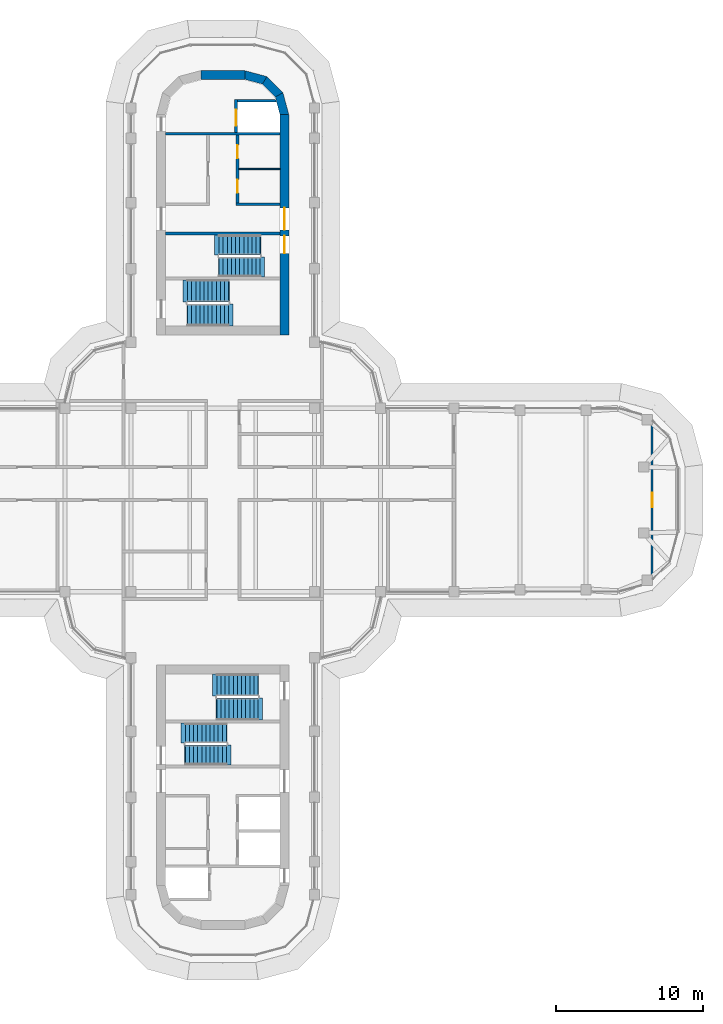
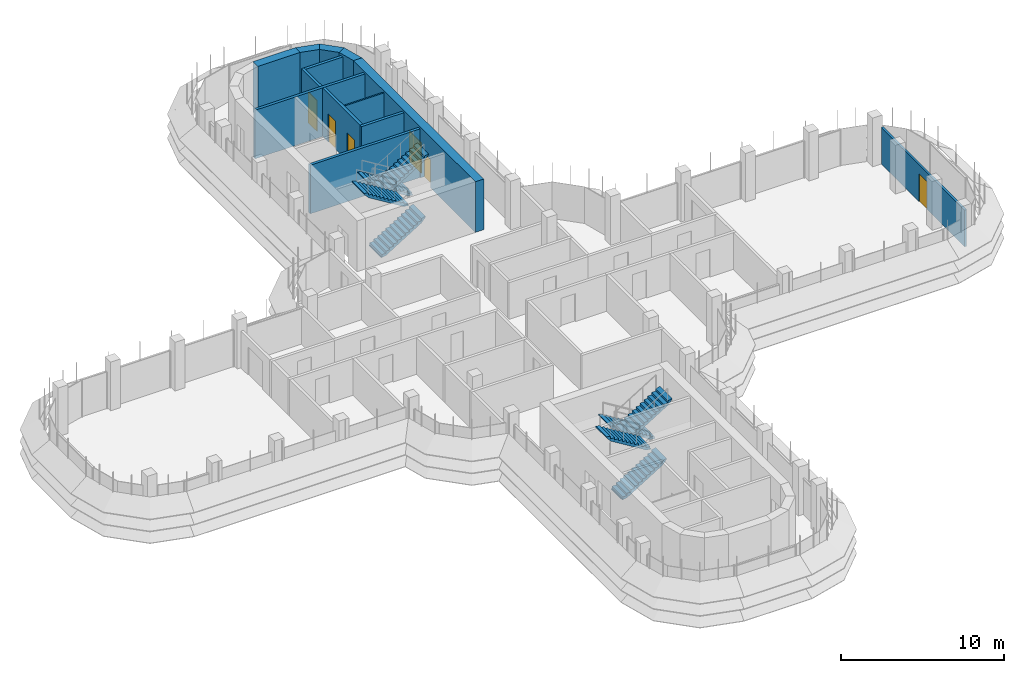
# One storey, part 15 of 18: 13 walls, 8 stair flights, 6 doors, 6 openings, 4 elements without a shape of their own.
"""IFC4 building model written with IfcOpenShell, lengths in metres."""

import ifcopenshell
import ifcopenshell.guid

model = None  # the IFC model being written
_history = None  # IfcOwnerHistory: only IFC2X3 demands one
_inside = {}  # id of a spatial element -> (the spatial element, [elements in it])
_under = {}  # id of a project, library or spatial element -> (it, [spatial elements below it])
_declared = {}  # id of a project -> (the project, [libraries it declares])
_typed = {}  # id of a type object -> (the type object, [elements of that type])
_made_of = {}  # id of a material, layer set ... -> (it, [elements and type objects made of it])


def new_model(schema):
    """Start an empty IFC model of exactly this schema.

    Asked for "IFC4X3", IfcOpenShell would pick the latest addendum, in which some entities
    have other attributes; the version numbers below select the first issue.
    IFC2X3 requires an IfcOwnerHistory on every rooted entity: one is made here for all.
    """
    global model, _history
    if schema == "IFC4X3":
        model = ifcopenshell.file(schema_version=(4, 3, 0, 0))
    else:
        model = ifcopenshell.file(schema=schema)
    _inside.clear()
    _under.clear()
    _declared.clear()
    _typed.clear()
    _made_of.clear()
    _history = None
    if model.schema == "IFC2X3":
        org = make("IfcOrganization", Name="unknown")
        user = make(
            "IfcPersonAndOrganization",
            ThePerson=make("IfcPerson", FamilyName="unknown"),
            TheOrganization=org,
        )
        app = make(
            "IfcApplication",
            ApplicationDeveloper=org,
            Version="unknown",
            ApplicationFullName="unknown",
            ApplicationIdentifier="unknown",
        )
        _history = make(
            "IfcOwnerHistory",
            OwningUser=user,
            OwningApplication=app,
            ChangeAction="ADDED",
            CreationDate=0,
        )
    return model


def make(cls, **values):
    """One entity of the class cls with the attributes given. An attribute that is None is left unset."""
    return model.create_entity(
        cls, **{name: value for name, value in values.items() if value is not None}
    )


def rooted(cls, **values):
    """An entity with a GlobalId (a new one), such as an element, a storey or a relation."""
    return make(cls, GlobalId=ifcopenshell.guid.new(), OwnerHistory=_history, **values)


def si_unit(unit_type, name, prefix=None):
    """IfcSIUnit, for example si_unit("LENGTHUNIT", "METRE", prefix="MILLI")."""
    return make("IfcSIUnit", UnitType=unit_type, Prefix=prefix, Name=name)


def assignment(units):
    """IfcUnitAssignment: the units of a project."""
    return None if units is None else make("IfcUnitAssignment", Units=units)


def point(xyz):
    """IfcCartesianPoint."""
    return None if xyz is None else make("IfcCartesianPoint", Coordinates=xyz)


def direction(xyz):
    """IfcDirection."""
    return None if xyz is None else make("IfcDirection", DirectionRatios=xyz)


def frame(location, z_axis=None, x_axis=None):
    """IfcAxis2Placement3D, a coordinate frame: its origin and axes. An axis left out is left unset."""
    return make(
        "IfcAxis2Placement3D",
        Location=point(location),
        Axis=direction(z_axis),
        RefDirection=direction(x_axis),
    )


def frame_2d(location, x_axis=None):
    """IfcAxis2Placement2D, a coordinate frame in the plane: its origin and x axis."""
    return make(
        "IfcAxis2Placement2D", Location=point(location), RefDirection=direction(x_axis)
    )


def origin():
    """The frame at (0, 0, 0) with its axes left unset."""
    return frame((0.0, 0.0, 0.0))


def place(relative_to, where):
    """IfcLocalPlacement: puts the frame where relative to a parent placement (None: the world)."""
    return make(
        "IfcLocalPlacement", PlacementRelTo=relative_to, RelativePlacement=where
    )


def context(
    kind, dimensions, precision=None, world=None, true_north=None, identifier=None
):
    """IfcGeometricRepresentationContext, for example the 3D "Model" context."""
    return make(
        "IfcGeometricRepresentationContext",
        ContextIdentifier=identifier,
        ContextType=kind,
        CoordinateSpaceDimension=dimensions,
        Precision=precision,
        WorldCoordinateSystem=world,
        TrueNorth=true_north,
    )


def subcontext(parent, identifier, kind, view, scale=None):
    """IfcGeometricRepresentationSubContext, for example "Body" below "Model"."""
    return make(
        "IfcGeometricRepresentationSubContext",
        ContextIdentifier=identifier,
        ContextType=kind,
        ParentContext=parent,
        TargetScale=scale,
        TargetView=view,
    )


def project(units=None, contexts=None):
    """IfcProject with its units and contexts."""
    return rooted(
        "IfcProject",
        Name="project",
        RepresentationContexts=contexts,
        UnitsInContext=assignment(units),
    )


def spatial(cls, under=None, at=None, **own):
    """A site, building, storey or space (cls), placed at a placement, below another one or the project."""
    s = rooted(cls, ObjectPlacement=at, **own)
    if under is not None:
        _under.setdefault(under.id(), (under, []))[1].append(s)
    return s


def polyline(points):
    """IfcPolyline through the points."""
    return make("IfcPolyline", Points=[point(p) for p in points])


def profile(cls, at=None, kind="AREA", **sizes):
    """A parametric profile (cls). Its sizes go by their IFC names, for example OverallWidth=200.0."""
    return make(cls, ProfileType=kind, Position=at, **sizes)


def rectangle(**sizes):
    """IfcRectangleProfileDef."""
    return profile("IfcRectangleProfileDef", **sizes)


def outline(outer, holes=None, kind="AREA"):
    """IfcArbitraryClosedProfileDef: a profile drawn as a closed curve; with holes, ...WithVoids."""
    if holes is None:
        return make("IfcArbitraryClosedProfileDef", ProfileType=kind, OuterCurve=outer)
    return make(
        "IfcArbitraryProfileDefWithVoids",
        ProfileType=kind,
        OuterCurve=outer,
        InnerCurves=holes,
    )


def extrude(swept, where, along, depth):
    """IfcExtrudedAreaSolid: the profile swept, set in the frame where, extruded along a direction by depth."""
    return make(
        "IfcExtrudedAreaSolid",
        SweptArea=swept,
        Position=where,
        ExtrudedDirection=direction(along),
        Depth=depth,
    )


def shape(context_of_items, identifier, shape_type, items):
    """IfcShapeRepresentation: the items that make up one representation, for example the "Body"."""
    return make(
        "IfcShapeRepresentation",
        ContextOfItems=context_of_items,
        RepresentationIdentifier=identifier,
        RepresentationType=shape_type,
        Items=items,
    )


def material(Name=None, Category=None):
    """IfcMaterial."""
    return make("IfcMaterial", Name=Name, Category=Category)


def layer(
    of_material, thickness, ventilated=None, Name=None, Category=None, Priority=None
):
    """IfcMaterialLayer: one layer of a wall or slab, of a material (None: an air gap)."""
    return make(
        "IfcMaterialLayer",
        Material=of_material,
        LayerThickness=thickness,
        IsVentilated=ventilated,
        Name=Name,
        Category=Category,
        Priority=Priority,
    )


def layer_set(layers, Name=None):
    """IfcMaterialLayerSet."""
    return make("IfcMaterialLayerSet", MaterialLayers=layers, LayerSetName=Name)


def made_of(thing, what):
    """Note that an element or type object is made of a material, layer set ...; save() writes the relation."""
    if what is not None:
        _made_of.setdefault(what.id(), (what, []))[1].append(thing)
    return thing


def type_object(cls, material=None, **own):
    """A type object (cls), such as IfcWallType, which elements share."""
    return made_of(rooted(cls, **own), material)


def element(
    cls,
    number,
    at=None,
    inside=None,
    cuts=None,
    type_object=None,
    material=None,
    context=None,
    identifier="Body",
    shape_type=None,
    held_by="IfcProductDefinitionShape",
    body=None,
    shapes=None,
    **own,
):
    """One element of the class cls, such as IfcWall. Its Tag is "e" and its number.

    at: its placement. inside: the storey or other place that contains it. cuts: it is an
    opening in that element (IfcRelVoidsElement). A single representation is given by context,
    identifier, shape_type and body (its items); several are given by shapes. held_by: the class
    of the entity that holds the representations. save() writes the other relations.
    """
    e = rooted(cls, Tag="e%d" % number, ObjectPlacement=at, **own)
    if body is not None:
        shapes = [shape(context, identifier, shape_type, body)]
    if shapes is not None:
        e.Representation = make(held_by, Representations=shapes)
    if inside is not None:
        _inside.setdefault(inside.id(), (inside, []))[1].append(e)
    if cuts is not None:
        rooted(
            "IfcRelVoidsElement", RelatingBuildingElement=cuts, RelatedOpeningElement=e
        )
    if type_object is not None:
        _typed.setdefault(type_object.id(), (type_object, []))[1].append(e)
    return made_of(e, material)


def fill(opening, filler):
    """IfcRelFillsElement: the door or window that sits in an opening."""
    return rooted(
        "IfcRelFillsElement",
        RelatingOpeningElement=opening,
        RelatedBuildingElement=filler,
    )


def aggregate(whole, parts):
    """IfcRelAggregates: a whole, such as a stair, and the parts it consists of."""
    return rooted("IfcRelAggregates", RelatingObject=whole, RelatedObjects=parts)


def save(model, path):
    """Write the relations noted so far, then the file.

    IfcRelAggregates (storeys below a building ...), IfcRelContainedInSpatialStructure (elements
    in a storey), IfcRelDefinesByType, IfcRelAssociatesMaterial and IfcRelDeclares: one each for
    every whole, place, type object, material and project.
    """
    for whole, parts in _under.values():
        aggregate(whole, parts)
    for where, things in _inside.values():
        rooted(
            "IfcRelContainedInSpatialStructure",
            RelatedElements=things,
            RelatingStructure=where,
        )
    for kind, things in _typed.values():
        rooted("IfcRelDefinesByType", RelatedObjects=things, RelatingType=kind)
    for what, things in _made_of.values():
        rooted("IfcRelAssociatesMaterial", RelatedObjects=things, RelatingMaterial=what)
    for by, libraries in _declared.values():
        rooted("IfcRelDeclares", RelatingContext=by, RelatedDefinitions=libraries)
    model.write(path)


model = new_model("IFC4")

# Units and contexts
model_context = context("Model", 3, precision=1e-05, world=origin(), true_north=direction((0.0, 1.0)))
body_context = subcontext(model_context, "Body", "Model", "MODEL_VIEW")
ifc_project = project(units=[si_unit("LENGTHUNIT", "METRE"), si_unit("AREAUNIT", "SQUARE_METRE"), si_unit("VOLUMEUNIT", "CUBIC_METRE"), si_unit("PLANEANGLEUNIT", "RADIAN"), si_unit("MASSUNIT", "GRAM", prefix="KILO")], contexts=[model_context])

# Site, building, storey
site_placement = place(None, origin())
site = spatial("IfcSite", under=ifc_project, at=site_placement, CompositionType="ELEMENT")
building_placement = place(site_placement, origin())
building = spatial("IfcBuilding", under=site, at=building_placement, Name="Zarbagh Exchange Tower", CompositionType="ELEMENT")
storey_placement = place(building_placement, frame((0.0, 0.0, 214.39990234375)))
storey = spatial("IfcBuildingStorey", under=building, at=storey_placement, Name="L52", CompositionType="ELEMENT", Elevation=214.39990234375)

# Wall
ifc_material_1 = material(Name="Dense blockwork", Category="masonry")
ifc_layer_1 = layer(ifc_material_1, 0.10009765625)
ifc_layer_set_1 = layer_set([ifc_layer_1], Name="Core partition 100 mm blockwork")
wall_type_1 = type_object("IfcWallType", Name="Core partition 100 mm blockwork", PredefinedType="PARTITIONING", material=ifc_layer_set_1)
wall_1_placement = place(storey_placement, frame((1.10009765625, 22.550048828125, 0.0), z_axis=(0.0, 0.0, 1.0), x_axis=(1.0, 0.0, 0.0)))
element("IfcWall", 1, at=wall_1_placement, inside=storey, type_object=wall_type_1, Name="North core partition wall CUT-E-580", PredefinedType="PARTITIONING", context=body_context, shape_type="SweptSolid", body=[
    extrude(rectangle(XDim=2.7998046875, YDim=0.10009765625, at=frame_2d((1.39990234375, 0.0))), origin(), (0.0, 0.0, 1.0), 3.650146484375),
])

# Wall, opening, door
ifc_material_2 = material(Name="Plasterboard partition")
ifc_layer_2 = layer(ifc_material_2, 0.14990234375)
ifc_layer_set_2 = layer_set([ifc_layer_2], Name="PARTITION 150")
wall_type_2 = type_object("IfcWallType", Name="PARTITION 150", PredefinedType="PARTITIONING", material=ifc_layer_set_2)
wall_2_placement = place(storey_placement, frame((29.25, 5.125, 0.0), z_axis=(0.0, 0.0, 1.0), x_axis=(0.0, -1.0, 0.0)))
wall_2 = element("IfcWall", 2, at=wall_2_placement, inside=storey, type_object=wall_type_2, Name="Partition W-2244", PredefinedType="PARTITIONING", context=body_context, shape_type="SweptSolid", body=[
    extrude(rectangle(XDim=10.25, YDim=0.14990234375, at=frame_2d((5.125, 0.0))), origin(), (0.0, 0.0, 1.0), 2.75),
])
opening_1_placement = place(wall_2_placement, frame((4.625, 0.0, 0.0)))
opening_1 = element("IfcOpeningElement", 3, at=opening_1_placement, cuts=wall_2, Name="Opening D-2201", PredefinedType="OPENING", context=body_context, shape_type="SweptSolid", body=[
    extrude(rectangle(XDim=1.0, YDim=2.10009765625, at=frame_2d((0.5, 1.050048828125))), frame((0.0, 0.0849609375, 0.0), z_axis=(0.0, -1.0, 0.0), x_axis=(1.0, 0.0, 0.0)), (0.0, 0.0, 1.0), 0.169921875),
])
ifc_material_3 = material(Name="Timber door leaf", Category="wood")
door_type_1 = type_object("IfcDoorType", Name="DOOR 1000 X 2100", OperationType="NOTDEFINED", PredefinedType="DOOR", material=ifc_material_3)
door_1_placement = place(opening_1_placement, origin())
door_1 = element("IfcDoor", 4, at=door_1_placement, inside=storey, type_object=door_type_1, Name="Door D-2201", OperationType="SINGLE_SWING_RIGHT", OverallHeight=2.10009765625, OverallWidth=1.0, PredefinedType="DOOR", context=body_context, shape_type="SweptSolid", body=[
    extrude(rectangle(XDim=1.0, YDim=2.10009765625, at=frame_2d((0.5, 1.050048828125))), frame((0.0, 0.02490234375, 0.0), z_axis=(0.0, -1.0, 0.0), x_axis=(1.0, 0.0, 0.0)), (0.0, 0.0, 1.0), 0.050048828125),
])
fill(opening_1, door_1)

# Walls
ifc_material_4 = material(Name="Concrete C50/60", Category="concrete")
ifc_layer_3 = layer(ifc_material_4, 0.60009765625)
ifc_layer_set_3 = layer_set([ifc_layer_3], Name="RC core corner wall 600 C50/60")
wall_type_3 = type_object("IfcWallType", Name="RC core corner wall 600 C50/60", PredefinedType="SHEAR", material=ifc_layer_set_3)
wall_3_placement = place(storey_placement, origin())
element("IfcWall", 5, at=wall_3_placement, inside=storey, type_object=wall_type_3, Name="CW8 core N corner E", PredefinedType="SHEAR", context=body_context, shape_type="SweptSolid", body=[
    extrude(outline(polyline([(4.5, 26.25), (4.09814453125, 27.75), (3.57861328125, 27.449951171875), (3.89990234375, 26.25), (4.5, 26.25)])), origin(), (0.0, 0.0, 1.0), 3.800048828125),
])
wall_4_placement = place(storey_placement, origin())
element("IfcWall", 6, at=wall_4_placement, inside=storey, type_object=wall_type_3, Name="CW8 core N corner E", PredefinedType="SHEAR", context=body_context, shape_type="SweptSolid", body=[
    extrude(outline(polyline([(4.09814453125, 27.75), (3.0, 28.84814453125), (2.699951171875, 28.32861328125), (3.57861328125, 27.449951171875), (4.09814453125, 27.75)])), origin(), (0.0, 0.0, 1.0), 3.800048828125),
])
wall_5_placement = place(storey_placement, origin())
element("IfcWall", 7, at=wall_5_placement, inside=storey, type_object=wall_type_3, Name="CW8 core N corner E", PredefinedType="SHEAR", context=body_context, shape_type="SweptSolid", body=[
    extrude(outline(polyline([(3.0, 28.84814453125), (1.5, 29.25), (1.5, 28.64990234375), (2.699951171875, 28.32861328125), (3.0, 28.84814453125)])), origin(), (0.0, 0.0, 1.0), 3.800048828125),
])

# Wall, openings, doors
ifc_layer_4 = layer(ifc_material_4, 0.60009765625)
ifc_layer_set_4 = layer_set([ifc_layer_4], Name="RC core wall 600 C50/60")
wall_type_4 = type_object("IfcWallType", Name="RC core wall 600 C50/60", PredefinedType="SHEAR", material=ifc_layer_set_4)
wall_6_placement = place(storey_placement, frame((4.199951171875, 11.25, 0.0), z_axis=(0.0, 0.0, 1.0), x_axis=(0.0, 1.0, 0.0)))
wall_6 = element("IfcWall", 8, at=wall_6_placement, inside=storey, type_object=wall_type_4, Name="CW7 core N E", PredefinedType="SHEAR", context=body_context, shape_type="SweptSolid", body=[
    extrude(rectangle(XDim=15.0, YDim=0.60009765625, at=frame_2d((7.5, 0.0))), origin(), (0.0, 0.0, 1.0), 3.800048828125),
])
opening_2_placement = place(wall_6_placement, frame((7.14990234375, 0.0, 0.0)))
opening_2 = element("IfcOpeningElement", 9, at=opening_2_placement, cuts=wall_6, Name="Opening CD1-1500", PredefinedType="OPENING", context=body_context, shape_type="SweptSolid", body=[
    extrude(rectangle(XDim=1.5, YDim=2.300048828125, at=frame_2d((0.75, 1.14990234375))), frame((0.0, 0.31005859375, 0.0), z_axis=(0.0, -1.0, 0.0), x_axis=(1.0, 0.0, 0.0)), (0.0, 0.0, 1.0), 0.6201171875),
])
opening_3_placement = place(wall_6_placement, frame((5.550048828125, 0.0, 0.0)))
opening_3 = element("IfcOpeningElement", 10, at=opening_3_placement, cuts=wall_6, Name="Opening SD1-1200", PredefinedType="OPENING", context=body_context, shape_type="SweptSolid", body=[
    extrude(rectangle(XDim=1.199951171875, YDim=2.10009765625, at=frame_2d((0.60009765625, 1.050048828125))), frame((0.0, 0.31005859375, 0.0), z_axis=(0.0, -1.0, 0.0), x_axis=(1.0, 0.0, 0.0)), (0.0, 0.0, 1.0), 0.6201171875),
])
ifc_material_5 = material(Name="Steel", Category="steel")
door_type_2 = type_object("IfcDoorType", Name="Exit stair door 1200 x 2100", OperationType="NOTDEFINED", PredefinedType="DOOR", material=ifc_material_5)
door_2_placement = place(opening_3_placement, origin())
door_2 = element("IfcDoor", 11, at=door_2_placement, inside=storey, type_object=door_type_2, Name="North core stair door ST1", OperationType="SINGLE_SWING_RIGHT", OverallHeight=2.10009765625, OverallWidth=1.199951171875, PredefinedType="DOOR", context=body_context, shape_type="SweptSolid", body=[
    extrude(rectangle(XDim=1.199951171875, YDim=2.10009765625, at=frame_2d((0.60009765625, 1.050048828125))), frame((0.0, 0.02490234375, 0.0), z_axis=(0.0, -1.0, 0.0), x_axis=(1.0, 0.0, 0.0)), (0.0, 0.0, 1.0), 0.050048828125),
])
fill(opening_3, door_2)
door_type_3 = type_object("IfcDoorType", Name="Lift lobby double door 1500 x 2300", OperationType="NOTDEFINED", PredefinedType="DOOR", material=ifc_material_5)
door_3_placement = place(opening_2_placement, origin())
door_3 = element("IfcDoor", 12, at=door_3_placement, inside=storey, type_object=door_type_3, Name="North core lift lobby door LOBBY-E", OperationType="DOUBLE_DOOR_SINGLE_SWING", OverallHeight=2.300048828125, OverallWidth=1.5, PredefinedType="DOOR", context=body_context, shape_type="SweptSolid", body=[
    extrude(rectangle(XDim=1.5, YDim=2.300048828125, at=frame_2d((0.75, 1.14990234375))), frame((0.0, 0.02490234375, 0.0), z_axis=(0.0, -1.0, 0.0), x_axis=(1.0, 0.0, 0.0)), (0.0, 0.0, 1.0), 0.050048828125),
])
fill(opening_2, door_3)

# Walls
wall_7_placement = place(storey_placement, frame((-1.5, 28.949951171875, 0.0), z_axis=(0.0, 0.0, 1.0), x_axis=(1.0, 0.0, 0.0)))
element("IfcWall", 13, at=wall_7_placement, inside=storey, type_object=wall_type_4, Name="CW7 core N outer end", PredefinedType="SHEAR", context=body_context, shape_type="SweptSolid", body=[
    extrude(rectangle(XDim=3.0, YDim=0.60009765625, at=frame_2d((1.5, 0.0))), origin(), (0.0, 0.0, 1.0), 3.800048828125),
])
ifc_layer_5 = layer(ifc_material_1, 0.199951171875)
ifc_layer_set_5 = layer_set([ifc_layer_5], Name="Shaft wall 200 mm blockwork")
wall_type_5 = type_object("IfcWallType", Name="Shaft wall 200 mm blockwork", PredefinedType="PARTITIONING", material=ifc_layer_set_5)
wall_8_placement = place(storey_placement, frame((0.89990234375, 20.14990234375, 0.0), z_axis=(0.0, 0.0, 1.0), x_axis=(1.0, 0.0, 0.0)))
element("IfcWall", 14, at=wall_8_placement, inside=storey, type_object=wall_type_5, Name="North core shaft wall AB-E", PredefinedType="PARTITIONING", context=body_context, shape_type="SweptSolid", body=[
    extrude(rectangle(XDim=3.0, YDim=0.199951171875, at=frame_2d((1.5, 0.0))), origin(), (0.0, 0.0, 1.0), 3.650146484375),
])

# Wall, openings, doors
wall_9_placement = place(storey_placement, frame((1.0, 24.85009765625, 0.0), z_axis=(0.0, 0.0, 1.0), x_axis=(0.0, -1.0, 0.0)))
wall_9 = element("IfcWall", 15, at=wall_9_placement, inside=storey, type_object=wall_type_5, Name="North core shaft wall LW-E", PredefinedType="PARTITIONING", context=body_context, shape_type="SweptSolid", body=[
    extrude(rectangle(XDim=4.60009765625, YDim=0.199951171875, at=frame_2d((2.300048828125, 0.0))), origin(), (0.0, 0.0, 1.0), 3.650146484375),
])
opening_4_placement = place(wall_9_placement, frame((0.675048828125, 0.0, 0.0)))
opening_4 = element("IfcOpeningElement", 16, at=opening_4_placement, cuts=wall_9, Name="Opening CD3-900", PredefinedType="OPENING", context=body_context, shape_type="SweptSolid", body=[
    extrude(rectangle(XDim=0.89990234375, YDim=2.10009765625, at=frame_2d((0.449951171875, 1.050048828125))), frame((0.0, 0.10986328125, 0.0), z_axis=(0.0, -1.0, 0.0), x_axis=(1.0, 0.0, 0.0)), (0.0, 0.0, 1.0), 0.219970703125),
])
opening_5_placement = place(wall_9_placement, frame((3.02490234375, 0.0, 0.0)))
opening_5 = element("IfcOpeningElement", 17, at=opening_5_placement, cuts=wall_9, Name="Opening CD3-900", PredefinedType="OPENING", context=body_context, shape_type="SweptSolid", body=[
    extrude(rectangle(XDim=0.89990234375, YDim=2.10009765625, at=frame_2d((0.449951171875, 1.050048828125))), frame((0.0, 0.10986328125, 0.0), z_axis=(0.0, -1.0, 0.0), x_axis=(1.0, 0.0, 0.0)), (0.0, 0.0, 1.0), 0.219970703125),
])
door_type_4 = type_object("IfcDoorType", Name="Core room door 900 x 2100", OperationType="NOTDEFINED", PredefinedType="DOOR", material=ifc_material_5)
door_4_placement = place(opening_4_placement, origin())
door_4 = element("IfcDoor", 18, at=door_4_placement, inside=storey, type_object=door_type_4, Name="North core Staff WC door RD-E-0", OperationType="SINGLE_SWING_LEFT", OverallHeight=2.10009765625, OverallWidth=0.89990234375, PredefinedType="DOOR", context=body_context, shape_type="SweptSolid", body=[
    extrude(rectangle(XDim=0.89990234375, YDim=2.10009765625, at=frame_2d((0.449951171875, 1.050048828125))), frame((0.0, 0.02490234375, 0.0), z_axis=(0.0, -1.0, 0.0), x_axis=(1.0, 0.0, 0.0)), (0.0, 0.0, 1.0), 0.050048828125),
])
fill(opening_4, door_4)
door_5_placement = place(opening_5_placement, origin())
door_5 = element("IfcDoor", 19, at=door_5_placement, inside=storey, type_object=door_type_4, Name="North core Accessible WC door RD-E-1", OperationType="SINGLE_SWING_LEFT", OverallHeight=2.10009765625, OverallWidth=0.89990234375, PredefinedType="DOOR", context=body_context, shape_type="SweptSolid", body=[
    extrude(rectangle(XDim=0.89990234375, YDim=2.10009765625, at=frame_2d((0.449951171875, 1.050048828125))), frame((0.0, 0.02490234375, 0.0), z_axis=(0.0, -1.0, 0.0), x_axis=(1.0, 0.0, 0.0)), (0.0, 0.0, 1.0), 0.050048828125),
])
fill(opening_5, door_5)

# Wall
ifc_material_6 = material(Name="Concrete C40/50", Category="concrete")
ifc_layer_6 = layer(ifc_material_6, 0.199951171875)
ifc_layer_set_6 = layer_set([ifc_layer_6], Name="Stair enclosure wall 200 mm RC C40/50")
wall_type_6 = type_object("IfcWallType", Name="Stair enclosure wall 200 mm RC C40/50", PredefinedType="SHEAR", material=ifc_layer_set_6)
wall_10_placement = place(storey_placement, frame((-3.89990234375, 24.949951171875, 0.0), z_axis=(0.0, 0.0, 1.0), x_axis=(1.0, 0.0, 0.0)))
element("IfcWall", 20, at=wall_10_placement, inside=storey, type_object=wall_type_6, Name="North core lift shaft wall FFA", PredefinedType="SHEAR", context=body_context, shape_type="SweptSolid", body=[
    extrude(rectangle(XDim=7.7998046875, YDim=0.199951171875, at=frame_2d((3.89990234375, 0.0))), origin(), (0.0, 0.0, 1.0), 3.650146484375),
])

# Wall, opening, door
wall_11_placement = place(storey_placement, frame((0.89990234375, 27.300048828125, 0.0), z_axis=(0.0, 0.0, 1.0), x_axis=(0.0, -1.0, 0.0)))
wall_11 = element("IfcWall", 21, at=wall_11_placement, inside=storey, type_object=wall_type_6, Name="North core lift shaft wall FFL", PredefinedType="SHEAR", context=body_context, shape_type="SweptSolid", body=[
    extrude(rectangle(XDim=2.25, YDim=0.199951171875, at=frame_2d((1.125, 0.0))), origin(), (0.0, 0.0, 1.0), 3.650146484375),
])
opening_6_placement = place(wall_11_placement, frame((0.699951171875, 0.0, 0.0)))
opening_6 = element("IfcOpeningElement", 22, at=opening_6_placement, cuts=wall_11, Name="Opening LD-1100", PredefinedType="OPENING", context=body_context, shape_type="SweptSolid", body=[
    extrude(rectangle(XDim=1.10009765625, YDim=2.300048828125, at=frame_2d((0.550048828125, 1.14990234375))), frame((0.0, 0.10986328125, 0.0), z_axis=(0.0, -1.0, 0.0), x_axis=(1.0, 0.0, 0.0)), (0.0, 0.0, 1.0), 0.219970703125),
])
ifc_material_7 = material(Name="Stainless steel", Category="steel")
door_type_5 = type_object("IfcDoorType", Name="Lift landing door 1100 x 2300", OperationType="NOTDEFINED", PredefinedType="DOOR", material=ifc_material_7)
door_6_placement = place(opening_6_placement, origin())
door_6 = element("IfcDoor", 23, at=door_6_placement, inside=storey, type_object=door_type_5, Name="North core lift landing door LD-F", OperationType="DOUBLE_DOOR_SLIDING", OverallHeight=2.300048828125, OverallWidth=1.10009765625, PredefinedType="DOOR", context=body_context, shape_type="SweptSolid", body=[
    extrude(rectangle(XDim=1.10009765625, YDim=2.300048828125, at=frame_2d((0.550048828125, 1.14990234375))), frame((0.0, 0.02490234375, 0.0), z_axis=(0.0, -1.0, 0.0), x_axis=(1.0, 0.0, 0.0)), (0.0, 0.0, 1.0), 0.050048828125),
])
fill(opening_6, door_6)

# Walls
wall_12_placement = place(storey_placement, origin())
element("IfcWall", 24, at=wall_12_placement, inside=storey, type_object=wall_type_6, Name="North core lift shaft wall FFX", PredefinedType="SHEAR", context=body_context, shape_type="SweptSolid", body=[
    extrude(outline(polyline([(1.0, 27.10009765625), (3.651123046875, 27.10009765625), (3.597412109375, 27.300048828125), (1.0, 27.300048828125), (1.0, 27.10009765625)])), origin(), (0.0, 0.0, 1.0), 3.650146484375),
])
wall_13_placement = place(storey_placement, frame((-3.89990234375, 18.14990234375, 0.0), z_axis=(0.0, 0.0, 1.0), x_axis=(1.0, 0.0, 0.0)))
element("IfcWall", 25, at=wall_13_placement, inside=storey, type_object=wall_type_6, Name="North core stair wall BS", PredefinedType="SHEAR", context=body_context, shape_type="SweptSolid", body=[
    extrude(rectangle(XDim=7.7998046875, YDim=0.199951171875, at=frame_2d((3.89990234375, 0.0))), origin(), (0.0, 0.0, 1.0), 3.650146484375),
])

# Stair, stair flights
stair_type = type_object("IfcStairType", Name="Exit stair two-flight half-turn", PredefinedType="HALF_TURN_STAIR", material=ifc_material_6)
stair_1_placement = place(storey_placement, origin())
stair_1 = element("IfcStair", 26, at=stair_1_placement, inside=storey, type_object=stair_type, Name="exit stair ST1", PredefinedType="HALF_TURN_STAIR")
stair_flight_type_1 = type_object("IfcStairFlightType", Name="Stair flight 1350 mm", PredefinedType="STRAIGHT", material=ifc_material_6)
stair_flight_1_placement = place(storey_placement, frame((2.550048828125, 17.375, 0.0), z_axis=(0.0, 0.0, 1.0), x_axis=(-1.0, 0.0, 0.0)))
stair_flight_1 = element("IfcStairFlight", 27, at=stair_flight_1_placement, type_object=stair_flight_type_1, Name="ST1 flight 1", NumberOfRisers=11, NumberOfTreads=10, PredefinedType="STRAIGHT", RiserHeight=0.172727273, TreadLength=0.28, context=body_context, shape_type="SweptSolid", body=[
    extrude(outline(polyline([(-0.050048828125, -0.050048828125), (-0.050048828125, 0.0), (0.0, 0.0), (0.0, 0.172607421875), (0.280029296875, 0.172607421875), (0.280029296875, 0.345458984375), (0.56005859375, 0.345458984375), (0.56005859375, 0.51806640625), (0.840087890625, 0.51806640625), (0.840087890625, 0.69091796875), (1.1201171875, 0.69091796875), (1.1201171875, 0.863525390625), (1.39990234375, 0.863525390625), (1.39990234375, 1.036376953125), (1.679931640625, 1.036376953125), (1.679931640625, 1.208984375), (1.9599609375, 1.208984375), (1.9599609375, 1.3818359375), (2.239990234375, 1.3818359375), (2.239990234375, 1.554443359375), (2.52001953125, 1.554443359375), (2.52001953125, 1.727294921875), (2.800048828125, 1.727294921875), (2.800048828125, 1.89990234375), (3.10009765625, 1.97998046875), (3.10009765625, 1.89990234375), (2.800048828125, 1.551025390625), (0.285400390625, 0.0), (-0.050048828125, -0.050048828125)])), frame((0.0, 0.675048828125, 0.0), z_axis=(0.0, -1.0, 0.0), x_axis=(1.0, 0.0, 0.0)), (0.0, 0.0, 1.0), 1.35009765625),
])
stair_flight_2_placement = place(storey_placement, frame((-0.25, 15.875, 1.900146484375), z_axis=(0.0, 0.0, 1.0), x_axis=(1.0, 0.0, 0.0)))
stair_flight_2 = element("IfcStairFlight", 28, at=stair_flight_2_placement, type_object=stair_flight_type_1, Name="ST1 flight 2", NumberOfRisers=11, NumberOfTreads=10, PredefinedType="STRAIGHT", RiserHeight=0.172727273, TreadLength=0.28, context=body_context, shape_type="SweptSolid", body=[
    extrude(outline(polyline([(-0.050048828125, -0.050048828125), (-0.050048828125, 0.0), (0.0, 0.0), (0.0, 0.172607421875), (0.280029296875, 0.172607421875), (0.280029296875, 0.345458984375), (0.56005859375, 0.345458984375), (0.56005859375, 0.51806640625), (0.840087890625, 0.51806640625), (0.840087890625, 0.69091796875), (1.1201171875, 0.69091796875), (1.1201171875, 0.863525390625), (1.39990234375, 0.863525390625), (1.39990234375, 1.036376953125), (1.679931640625, 1.036376953125), (1.679931640625, 1.208984375), (1.9599609375, 1.208984375), (1.9599609375, 1.3818359375), (2.239990234375, 1.3818359375), (2.239990234375, 1.554443359375), (2.52001953125, 1.554443359375), (2.52001953125, 1.727294921875), (2.800048828125, 1.727294921875), (2.800048828125, 1.89990234375), (3.10009765625, 1.97998046875), (3.10009765625, 1.89990234375), (2.800048828125, 1.551025390625), (0.285400390625, 0.0), (-0.050048828125, -0.050048828125)])), frame((0.0, 0.675048828125, 0.0), z_axis=(0.0, -1.0, 0.0), x_axis=(1.0, 0.0, 0.0)), (0.0, 0.0, 1.0), 1.35009765625),
])
aggregate(stair_1, [stair_flight_1, stair_flight_2])

stair_2_placement = place(storey_placement, origin())
stair_2 = element("IfcStair", 29, at=stair_2_placement, inside=storey, type_object=stair_type, Name="exit stair ST3", PredefinedType="HALF_TURN_STAIR")
stair_flight_3_placement = place(storey_placement, frame((-2.550048828125, -17.375, 0.0), z_axis=(0.0, 0.0, 1.0), x_axis=(1.0, 0.0, 0.0)))
stair_flight_3 = element("IfcStairFlight", 30, at=stair_flight_3_placement, type_object=stair_flight_type_1, Name="ST3 flight 1", NumberOfRisers=11, NumberOfTreads=10, PredefinedType="STRAIGHT", RiserHeight=0.172727273, TreadLength=0.28, context=body_context, shape_type="SweptSolid", body=[
    extrude(outline(polyline([(-0.050048828125, -0.050048828125), (-0.050048828125, 0.0), (0.0, 0.0), (0.0, 0.172607421875), (0.280029296875, 0.172607421875), (0.280029296875, 0.345458984375), (0.56005859375, 0.345458984375), (0.56005859375, 0.51806640625), (0.840087890625, 0.51806640625), (0.840087890625, 0.69091796875), (1.1201171875, 0.69091796875), (1.1201171875, 0.863525390625), (1.39990234375, 0.863525390625), (1.39990234375, 1.036376953125), (1.679931640625, 1.036376953125), (1.679931640625, 1.208984375), (1.9599609375, 1.208984375), (1.9599609375, 1.3818359375), (2.239990234375, 1.3818359375), (2.239990234375, 1.554443359375), (2.52001953125, 1.554443359375), (2.52001953125, 1.727294921875), (2.800048828125, 1.727294921875), (2.800048828125, 1.89990234375), (3.10009765625, 1.97998046875), (3.10009765625, 1.89990234375), (2.800048828125, 1.551025390625), (0.285400390625, 0.0), (-0.050048828125, -0.050048828125)])), frame((0.0, 0.675048828125, 0.0), z_axis=(0.0, -1.0, 0.0), x_axis=(1.0, 0.0, 0.0)), (0.0, 0.0, 1.0), 1.35009765625),
])
stair_flight_4_placement = place(storey_placement, frame((0.25, -15.875, 1.900146484375), z_axis=(0.0, 0.0, 1.0), x_axis=(-1.0, 0.0, 0.0)))
stair_flight_4 = element("IfcStairFlight", 31, at=stair_flight_4_placement, type_object=stair_flight_type_1, Name="ST3 flight 2", NumberOfRisers=11, NumberOfTreads=10, PredefinedType="STRAIGHT", RiserHeight=0.172727273, TreadLength=0.28, context=body_context, shape_type="SweptSolid", body=[
    extrude(outline(polyline([(-0.050048828125, -0.050048828125), (-0.050048828125, 0.0), (0.0, 0.0), (0.0, 0.172607421875), (0.280029296875, 0.172607421875), (0.280029296875, 0.345458984375), (0.56005859375, 0.345458984375), (0.56005859375, 0.51806640625), (0.840087890625, 0.51806640625), (0.840087890625, 0.69091796875), (1.1201171875, 0.69091796875), (1.1201171875, 0.863525390625), (1.39990234375, 0.863525390625), (1.39990234375, 1.036376953125), (1.679931640625, 1.036376953125), (1.679931640625, 1.208984375), (1.9599609375, 1.208984375), (1.9599609375, 1.3818359375), (2.239990234375, 1.3818359375), (2.239990234375, 1.554443359375), (2.52001953125, 1.554443359375), (2.52001953125, 1.727294921875), (2.800048828125, 1.727294921875), (2.800048828125, 1.89990234375), (3.10009765625, 1.97998046875), (3.10009765625, 1.89990234375), (2.800048828125, 1.551025390625), (0.285400390625, 0.0), (-0.050048828125, -0.050048828125)])), frame((0.0, 0.675048828125, 0.0), z_axis=(0.0, -1.0, 0.0), x_axis=(1.0, 0.0, 0.0)), (0.0, 0.0, 1.0), 1.35009765625),
])
aggregate(stair_2, [stair_flight_3, stair_flight_4])

stair_3_placement = place(storey_placement, origin())
stair_3 = element("IfcStair", 32, at=stair_3_placement, inside=storey, type_object=stair_type, Name="exit stair ST2", PredefinedType="HALF_TURN_STAIR")
stair_flight_type_2 = type_object("IfcStairFlightType", Name="Stair flight 1500 mm", PredefinedType="STRAIGHT", material=ifc_material_6)
stair_flight_5_placement = place(storey_placement, frame((-2.39990234375, 12.60009765625, 0.0), z_axis=(0.0, 0.0, 1.0), x_axis=(1.0, 0.0, 0.0)))
stair_flight_5 = element("IfcStairFlight", 33, at=stair_flight_5_placement, type_object=stair_flight_type_2, Name="ST2 flight 1", NumberOfRisers=11, NumberOfTreads=10, PredefinedType="STRAIGHT", RiserHeight=0.172727273, TreadLength=0.28, context=body_context, shape_type="SweptSolid", body=[
    extrude(outline(polyline([(-0.050048828125, -0.050048828125), (-0.050048828125, 0.0), (0.0, 0.0), (0.0, 0.172607421875), (0.280029296875, 0.172607421875), (0.280029296875, 0.345458984375), (0.56005859375, 0.345458984375), (0.56005859375, 0.51806640625), (0.840087890625, 0.51806640625), (0.840087890625, 0.69091796875), (1.1201171875, 0.69091796875), (1.1201171875, 0.863525390625), (1.39990234375, 0.863525390625), (1.39990234375, 1.036376953125), (1.679931640625, 1.036376953125), (1.679931640625, 1.208984375), (1.9599609375, 1.208984375), (1.9599609375, 1.3818359375), (2.239990234375, 1.3818359375), (2.239990234375, 1.554443359375), (2.52001953125, 1.554443359375), (2.52001953125, 1.727294921875), (2.800048828125, 1.727294921875), (2.800048828125, 1.89990234375), (3.10009765625, 1.97998046875), (3.10009765625, 1.89990234375), (2.800048828125, 1.551025390625), (0.285400390625, 0.0), (-0.050048828125, -0.050048828125)])), frame((0.0, 0.75, 0.0), z_axis=(0.0, -1.0, 0.0), x_axis=(1.0, 0.0, 0.0)), (0.0, 0.0, 1.0), 1.5),
])
stair_flight_6_placement = place(storey_placement, frame((0.39990234375, 14.25, 1.900146484375), z_axis=(0.0, 0.0, 1.0), x_axis=(-1.0, 0.0, 0.0)))
stair_flight_6 = element("IfcStairFlight", 34, at=stair_flight_6_placement, type_object=stair_flight_type_2, Name="ST2 flight 2", NumberOfRisers=11, NumberOfTreads=10, PredefinedType="STRAIGHT", RiserHeight=0.172727273, TreadLength=0.28, context=body_context, shape_type="SweptSolid", body=[
    extrude(outline(polyline([(-0.050048828125, -0.050048828125), (-0.050048828125, 0.0), (0.0, 0.0), (0.0, 0.172607421875), (0.280029296875, 0.172607421875), (0.280029296875, 0.345458984375), (0.56005859375, 0.345458984375), (0.56005859375, 0.51806640625), (0.840087890625, 0.51806640625), (0.840087890625, 0.69091796875), (1.1201171875, 0.69091796875), (1.1201171875, 0.863525390625), (1.39990234375, 0.863525390625), (1.39990234375, 1.036376953125), (1.679931640625, 1.036376953125), (1.679931640625, 1.208984375), (1.9599609375, 1.208984375), (1.9599609375, 1.3818359375), (2.239990234375, 1.3818359375), (2.239990234375, 1.554443359375), (2.52001953125, 1.554443359375), (2.52001953125, 1.727294921875), (2.800048828125, 1.727294921875), (2.800048828125, 1.89990234375), (3.10009765625, 1.97998046875), (3.10009765625, 1.89990234375), (2.800048828125, 1.551025390625), (0.285400390625, 0.0), (-0.050048828125, -0.050048828125)])), frame((0.0, 0.75, 0.0), z_axis=(0.0, -1.0, 0.0), x_axis=(1.0, 0.0, 0.0)), (0.0, 0.0, 1.0), 1.5),
])
aggregate(stair_3, [stair_flight_5, stair_flight_6])

stair_4_placement = place(storey_placement, origin())
stair_4 = element("IfcStair", 35, at=stair_4_placement, inside=storey, type_object=stair_type, Name="exit stair ST4", PredefinedType="HALF_TURN_STAIR")
stair_flight_7_placement = place(storey_placement, frame((2.39990234375, -12.60009765625, 0.0), z_axis=(0.0, 0.0, 1.0), x_axis=(-1.0, 0.0, 0.0)))
stair_flight_7 = element("IfcStairFlight", 36, at=stair_flight_7_placement, type_object=stair_flight_type_2, Name="ST4 flight 1", NumberOfRisers=11, NumberOfTreads=10, PredefinedType="STRAIGHT", RiserHeight=0.172727273, TreadLength=0.28, context=body_context, shape_type="SweptSolid", body=[
    extrude(outline(polyline([(-0.050048828125, -0.050048828125), (-0.050048828125, 0.0), (0.0, 0.0), (0.0, 0.172607421875), (0.280029296875, 0.172607421875), (0.280029296875, 0.345458984375), (0.56005859375, 0.345458984375), (0.56005859375, 0.51806640625), (0.840087890625, 0.51806640625), (0.840087890625, 0.69091796875), (1.1201171875, 0.69091796875), (1.1201171875, 0.863525390625), (1.39990234375, 0.863525390625), (1.39990234375, 1.036376953125), (1.679931640625, 1.036376953125), (1.679931640625, 1.208984375), (1.9599609375, 1.208984375), (1.9599609375, 1.3818359375), (2.239990234375, 1.3818359375), (2.239990234375, 1.554443359375), (2.52001953125, 1.554443359375), (2.52001953125, 1.727294921875), (2.800048828125, 1.727294921875), (2.800048828125, 1.89990234375), (3.10009765625, 1.97998046875), (3.10009765625, 1.89990234375), (2.800048828125, 1.551025390625), (0.285400390625, 0.0), (-0.050048828125, -0.050048828125)])), frame((0.0, 0.75, 0.0), z_axis=(0.0, -1.0, 0.0), x_axis=(1.0, 0.0, 0.0)), (0.0, 0.0, 1.0), 1.5),
])
stair_flight_8_placement = place(storey_placement, frame((-0.39990234375, -14.25, 1.900146484375), z_axis=(0.0, 0.0, 1.0), x_axis=(1.0, 0.0, 0.0)))
stair_flight_8 = element("IfcStairFlight", 37, at=stair_flight_8_placement, type_object=stair_flight_type_2, Name="ST4 flight 2", NumberOfRisers=11, NumberOfTreads=10, PredefinedType="STRAIGHT", RiserHeight=0.172727273, TreadLength=0.28, context=body_context, shape_type="SweptSolid", body=[
    extrude(outline(polyline([(-0.050048828125, -0.050048828125), (-0.050048828125, 0.0), (0.0, 0.0), (0.0, 0.172607421875), (0.280029296875, 0.172607421875), (0.280029296875, 0.345458984375), (0.56005859375, 0.345458984375), (0.56005859375, 0.51806640625), (0.840087890625, 0.51806640625), (0.840087890625, 0.69091796875), (1.1201171875, 0.69091796875), (1.1201171875, 0.863525390625), (1.39990234375, 0.863525390625), (1.39990234375, 1.036376953125), (1.679931640625, 1.036376953125), (1.679931640625, 1.208984375), (1.9599609375, 1.208984375), (1.9599609375, 1.3818359375), (2.239990234375, 1.3818359375), (2.239990234375, 1.554443359375), (2.52001953125, 1.554443359375), (2.52001953125, 1.727294921875), (2.800048828125, 1.727294921875), (2.800048828125, 1.89990234375), (3.10009765625, 1.97998046875), (3.10009765625, 1.89990234375), (2.800048828125, 1.551025390625), (0.285400390625, 0.0), (-0.050048828125, -0.050048828125)])), frame((0.0, 0.75, 0.0), z_axis=(0.0, -1.0, 0.0), x_axis=(1.0, 0.0, 0.0)), (0.0, 0.0, 1.0), 1.5),
])
aggregate(stair_4, [stair_flight_7, stair_flight_8])

save(model, "model.ifc")
